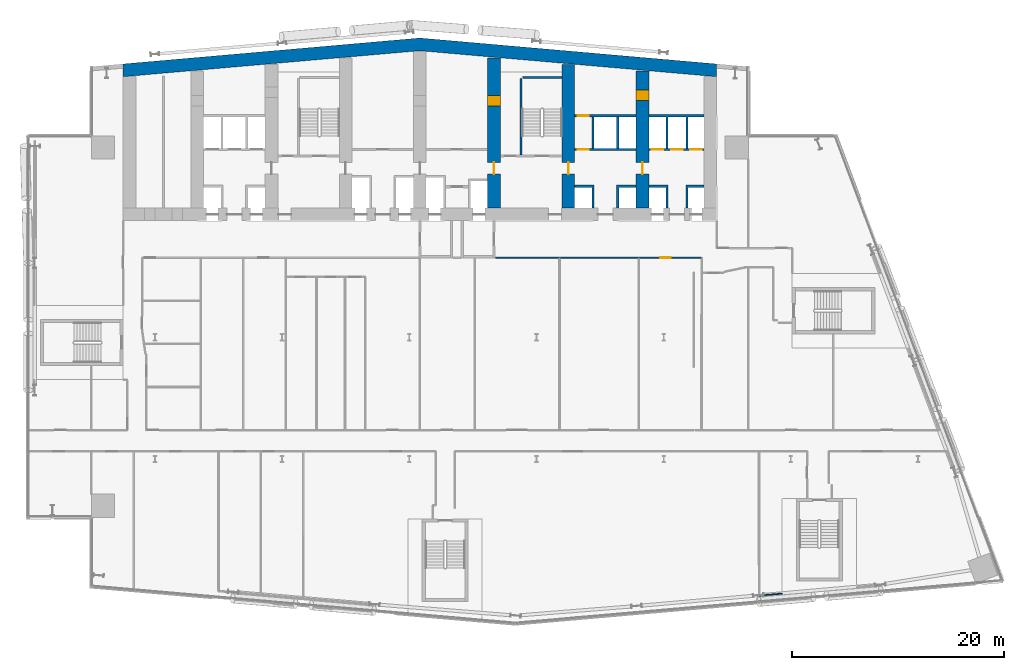
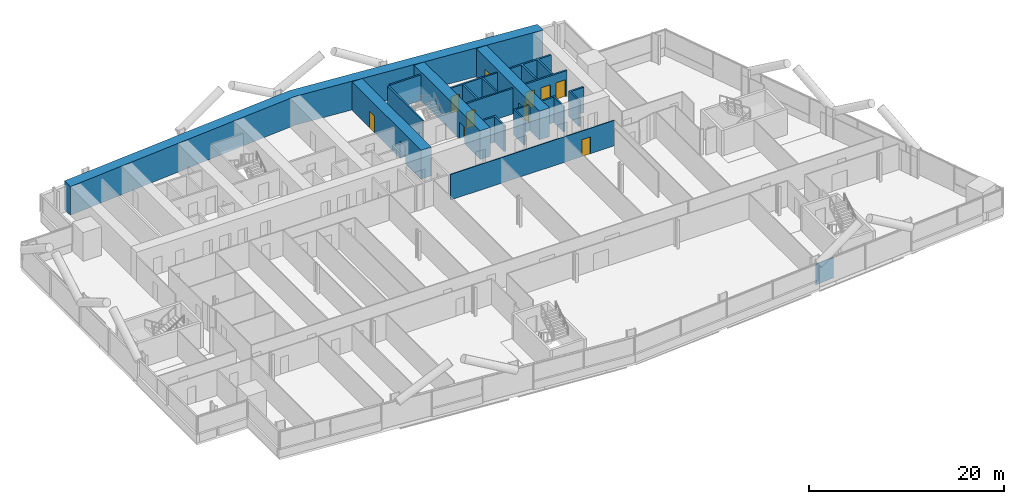
# One storey, part 18 of 27: 18 walls, 11 doors, 11 openings.
"""IFC4 building model written with IfcOpenShell, lengths in metres."""

from ifc_helpers import new_model, si_unit, direction, frame, frame_2d, origin, place, context, subcontext, project, spatial, polyline, rectangle, outline, extrude, material, layer, layer_set, type_object, element, fill, save


model = new_model("IFC4")

# Units and contexts
model_context = context("Model", 3, precision=1e-05, world=origin(), true_north=direction((0.0, 1.0)))
body_context = subcontext(model_context, "Body", "Model", "MODEL_VIEW")
ifc_project = project(units=[si_unit("LENGTHUNIT", "METRE"), si_unit("AREAUNIT", "SQUARE_METRE"), si_unit("VOLUMEUNIT", "CUBIC_METRE"), si_unit("PLANEANGLEUNIT", "RADIAN"), si_unit("MASSUNIT", "GRAM", prefix="KILO")], contexts=[model_context])

# Site, building, storey
site_placement = place(None, origin())
site = spatial("IfcSite", under=ifc_project, at=site_placement, CompositionType="ELEMENT")
building_placement = place(site_placement, origin())
building = spatial("IfcBuilding", under=site, at=building_placement, Name="Wharfspan Tower", CompositionType="ELEMENT")
storey_placement = place(building_placement, frame((0.0, 0.0, 45.100098)))
storey = spatial("IfcBuildingStorey", under=building, at=storey_placement, Name="L07", CompositionType="ELEMENT", Elevation=45.100098)

# Wall, opening, door
ifc_material_1 = material(Name="Gypsum board on steel studs", Category="steel")
ifc_layer_1 = layer(ifc_material_1, 0.100098)
ifc_layer_set_1 = layer_set([ifc_layer_1], Name="Gypsum board on steel studs")
wall_type_1 = type_object("IfcWallType", Name="Compartment wall 100 EI 60", PredefinedType="PARTITIONING", material=ifc_layer_set_1)
wall_1_placement = place(storey_placement, frame((44.149902, 30.5, 0.0), z_axis=(0.0, 0.0, 1.0), x_axis=(1.0, 0.0, 0.0)))
wall_1 = element("IfcWall", 1, at=wall_1_placement, inside=storey, type_object=wall_type_1, Name="Partition L07.w014 (3)", PredefinedType="PARTITIONING", context=body_context, shape_type="SweptSolid", body=[
    extrude(rectangle(XDim=19.420166, YDim=0.100098, at=frame_2d((9.709961, 0.0))), origin(), (0.0, 0.0, 1.0), 3.199951),
])
opening_1_placement = place(wall_1_placement, frame((15.540039, 0.0, 0.0)))
opening_1 = element("IfcOpeningElement", 2, at=opening_1_placement, cuts=wall_1, Name="Opening A1-29", PredefinedType="OPENING", context=body_context, shape_type="SweptSolid", body=[
    extrude(rectangle(XDim=1.0, YDim=2.100098, at=frame_2d((0.5, 1.050049))), frame((0.0, 0.060059, 0.0), z_axis=(0.0, -1.0, 0.0), x_axis=(1.0, 0.0, 0.0)), (0.0, 0.0, 1.0), 0.120117),
])
ifc_material_2 = material(Name="Fire-rated timber door leaf in steel frame", Category="steel")
door_type_1 = type_object("IfcDoorType", Name="Door 1000 FD30S Right", OperationType="SINGLE_SWING_RIGHT", PredefinedType="DOOR", material=ifc_material_2)
door_1_placement = place(opening_1_placement, origin())
door_1 = element("IfcDoor", 3, at=door_1_placement, inside=storey, type_object=door_type_1, Name="Door A1-29", OperationType="SINGLE_SWING_RIGHT", OverallHeight=2.100098, OverallWidth=1.0, PredefinedType="DOOR", context=body_context, shape_type="SweptSolid", body=[
    extrude(rectangle(XDim=1.0, YDim=2.100098, at=frame_2d((0.5, 1.050049))), frame((0.0, 0.024902, 0.0), z_axis=(0.0, -1.0, 0.0), x_axis=(1.0, 0.0, 0.0)), (0.0, 0.0, 1.0), 0.050049),
])
fill(opening_1, door_1)

# Wall
ifc_material_3 = material(Name="Concrete C70/85", Category="concrete")
ifc_layer_2 = layer(ifc_material_3, 1.199951)
ifc_layer_set_2 = layer_set([ifc_layer_2], Name="Concrete C70/85")
wall_type_2 = type_object("IfcWallType", Name="Core wall 1200 C70/85", PredefinedType="SHEAR", material=ifc_layer_set_2)
wall_2_placement = place(storey_placement, frame((0.0, 0.0, -0.000244)))
element("IfcWall", 4, at=wall_2_placement, inside=storey, type_object=wall_type_2, Name="Core rear wall L07", PredefinedType="SHEAR", context=body_context, shape_type="SweptSolid", body=[
    extrude(outline(polyline([(9.0, 47.582764), (37.0, 50.032471), (65.0, 47.582764), (65.0, 48.787354), (37.0, 51.237061), (9.0, 48.787354), (9.0, 47.582764)])), origin(), (0.0, 0.0, 1.0), 3.600098),
])

# Wall, openings, doors
wall_3_placement = place(storey_placement, frame((44.0, 35.199951, 0.0), z_axis=(0.0, 0.0, 1.0), x_axis=(0.0, 1.0, 0.0)))
wall_3 = element("IfcWall", 5, at=wall_3_placement, inside=storey, type_object=wall_type_2, Name="Core cross wall X5 L07", PredefinedType="SHEAR", context=body_context, shape_type="SweptSolid", body=[
    extrude(rectangle(XDim=14.167725, YDim=1.199951, at=frame_2d((7.083984, 0.0))), origin(), (0.0, 0.0, 1.0), 3.599854),
])
opening_2_placement = place(wall_3_placement, frame((3.199951, 0.0, 0.0)))
opening_2 = element("IfcOpeningElement", 6, at=opening_2_placement, cuts=wall_3, Name="Opening CC07.5", PredefinedType="OPENING", context=body_context, shape_type="SweptSolid", body=[
    extrude(rectangle(XDim=1.100098, YDim=2.100098, at=frame_2d((0.550049, 1.050049))), frame((0.0, 0.609863, 0.0), z_axis=(0.0, -1.0, 0.0), x_axis=(1.0, 0.0, 0.0)), (0.0, 0.0, 1.0), 1.219971),
])
opening_3_placement = place(wall_3_placement, frame((9.600098, 0.0, 0.0)))
opening_3 = element("IfcOpeningElement", 7, at=opening_3_placement, cuts=wall_3, Name="Opening CR07.5", PredefinedType="OPENING", context=body_context, shape_type="SweptSolid", body=[
    extrude(rectangle(XDim=1.0, YDim=2.100098, at=frame_2d((0.5, 1.050049))), frame((0.0, 0.609863, 0.0), z_axis=(0.0, -1.0, 0.0), x_axis=(1.0, 0.0, 0.0)), (0.0, 0.0, 1.0), 1.219971),
])
ifc_material_4 = material(Name="Steel door leaf", Category="steel")
door_type_2 = type_object("IfcDoorType", Name="Core corridor door 1100x2100", OperationType="SINGLE_SWING_LEFT", PredefinedType="DOOR", material=ifc_material_4)
door_2_placement = place(opening_2_placement, origin())
door_2 = element("IfcDoor", 8, at=door_2_placement, inside=storey, type_object=door_type_2, Name="xd:L07:5", OperationType="SINGLE_SWING_LEFT", OverallHeight=2.100098, OverallWidth=1.100098, PredefinedType="DOOR", context=body_context, shape_type="SweptSolid", body=[
    extrude(rectangle(XDim=1.100098, YDim=2.100098, at=frame_2d((0.550049, 1.050049))), frame((0.0, 0.024902, 0.0), z_axis=(0.0, -1.0, 0.0), x_axis=(1.0, 0.0, 0.0)), (0.0, 0.0, 1.0), 0.050049),
])
fill(opening_2, door_2)
door_type_3 = type_object("IfcDoorType", Name="Core room door 1000x2100", OperationType="SINGLE_SWING_LEFT", PredefinedType="DOOR", material=ifc_material_4)
door_3_placement = place(opening_3_placement, origin())
door_3 = element("IfcDoor", 9, at=door_3_placement, inside=storey, type_object=door_type_3, Name="xr:L07:5", OperationType="SINGLE_SWING_RIGHT", OverallHeight=2.100098, OverallWidth=1.0, PredefinedType="DOOR", context=body_context, shape_type="SweptSolid", body=[
    extrude(rectangle(XDim=1.0, YDim=2.100098, at=frame_2d((0.5, 1.050049))), frame((0.0, 0.599609, 0.0), z_axis=(0.0, -1.0, 0.0), x_axis=(1.0, 0.0, 0.0)), (0.0, 0.0, 1.0), 1.199463),
])
fill(opening_3, door_3)

# Wall, opening, door
wall_4_placement = place(storey_placement, frame((51.0, 35.199951, 0.0), z_axis=(0.0, 0.0, 1.0), x_axis=(0.0, 1.0, 0.0)))
wall_4 = element("IfcWall", 10, at=wall_4_placement, inside=storey, type_object=wall_type_2, Name="Core cross wall X6 L07", PredefinedType="SHEAR", context=body_context, shape_type="SweptSolid", body=[
    extrude(rectangle(XDim=13.555176, YDim=1.199951, at=frame_2d((6.777588, 0.0))), origin(), (0.0, 0.0, 1.0), 3.599854),
])
opening_4_placement = place(wall_4_placement, frame((3.199951, 0.0, 0.0)))
opening_4 = element("IfcOpeningElement", 11, at=opening_4_placement, cuts=wall_4, Name="Opening CC07.6", PredefinedType="OPENING", context=body_context, shape_type="SweptSolid", body=[
    extrude(rectangle(XDim=1.100098, YDim=2.100098, at=frame_2d((0.550049, 1.050049))), frame((0.0, 0.609863, 0.0), z_axis=(0.0, -1.0, 0.0), x_axis=(1.0, 0.0, 0.0)), (0.0, 0.0, 1.0), 1.219971),
])
door_4_placement = place(opening_4_placement, origin())
door_4 = element("IfcDoor", 12, at=door_4_placement, inside=storey, type_object=door_type_2, Name="xd:L07:6", OperationType="SINGLE_SWING_RIGHT", OverallHeight=2.100098, OverallWidth=1.100098, PredefinedType="DOOR", context=body_context, shape_type="SweptSolid", body=[
    extrude(rectangle(XDim=1.100098, YDim=2.100098, at=frame_2d((0.550049, 1.050049))), frame((0.0, 0.024902, 0.0), z_axis=(0.0, -1.0, 0.0), x_axis=(1.0, 0.0, 0.0)), (0.0, 0.0, 1.0), 0.050049),
])
fill(opening_4, door_4)

# Wall, openings, doors
wall_5_placement = place(storey_placement, frame((58.0, 35.199951, 0.0), z_axis=(0.0, 0.0, 1.0), x_axis=(0.0, 1.0, 0.0)))
wall_5 = element("IfcWall", 13, at=wall_5_placement, inside=storey, type_object=wall_type_2, Name="Core cross wall X7 L07", PredefinedType="SHEAR", context=body_context, shape_type="SweptSolid", body=[
    extrude(rectangle(XDim=12.942871, YDim=1.199951, at=frame_2d((6.471436, 0.0))), origin(), (0.0, 0.0, 1.0), 3.599854),
])
opening_5_placement = place(wall_5_placement, frame((10.133789, 0.0, 0.0)))
opening_5 = element("IfcOpeningElement", 14, at=opening_5_placement, cuts=wall_5, Name="Opening CD07.7X", PredefinedType="OPENING", context=body_context, shape_type="SweptSolid", body=[
    extrude(rectangle(XDim=1.0, YDim=2.100098, at=frame_2d((0.5, 1.050049))), frame((0.0, 0.609863, 0.0), z_axis=(0.0, -1.0, 0.0), x_axis=(1.0, 0.0, 0.0)), (0.0, 0.0, 1.0), 1.219971),
])
opening_6_placement = place(wall_5_placement, frame((3.199951, 0.0, 0.0)))
opening_6 = element("IfcOpeningElement", 15, at=opening_6_placement, cuts=wall_5, Name="Opening CC07.7", PredefinedType="OPENING", context=body_context, shape_type="SweptSolid", body=[
    extrude(rectangle(XDim=1.100098, YDim=2.100098, at=frame_2d((0.550049, 1.050049))), frame((0.0, 0.609863, 0.0), z_axis=(0.0, -1.0, 0.0), x_axis=(1.0, 0.0, 0.0)), (0.0, 0.0, 1.0), 1.219971),
])
door_5_placement = place(opening_6_placement, origin())
door_5 = element("IfcDoor", 16, at=door_5_placement, inside=storey, type_object=door_type_2, Name="xd:L07:7", OperationType="SINGLE_SWING_LEFT", OverallHeight=2.100098, OverallWidth=1.100098, PredefinedType="DOOR", context=body_context, shape_type="SweptSolid", body=[
    extrude(rectangle(XDim=1.100098, YDim=2.100098, at=frame_2d((0.550049, 1.050049))), frame((0.0, 0.024902, 0.0), z_axis=(0.0, -1.0, 0.0), x_axis=(1.0, 0.0, 0.0)), (0.0, 0.0, 1.0), 0.050049),
])
fill(opening_6, door_5)
door_6_placement = place(opening_5_placement, origin())
door_6 = element("IfcDoor", 17, at=door_6_placement, inside=storey, type_object=door_type_3, Name="d:L07:7:sx", OperationType="SINGLE_SWING_LEFT", OverallHeight=2.100098, OverallWidth=1.0, PredefinedType="DOOR", context=body_context, shape_type="SweptSolid", body=[
    extrude(rectangle(XDim=1.0, YDim=2.100098, at=frame_2d((0.5, 1.050049))), frame((0.0, 0.599609, 0.0), z_axis=(0.0, -1.0, 0.0), x_axis=(1.0, 0.0, 0.0)), (0.0, 0.0, 1.0), 1.199463),
])
fill(opening_5, door_6)

# Wall, opening, door
ifc_material_5 = material(Name="Concrete C30/37", Category="concrete")
ifc_layer_3 = layer(ifc_material_5, 0.199951)
ifc_layer_set_3 = layer_set([ifc_layer_3], Name="Concrete C30/37")
wall_type_3 = type_object("IfcWallType", Name="Lift shaft wall 200", PredefinedType="PARTITIONING", material=ifc_layer_set_3)
wall_6_placement = place(storey_placement, frame((51.600098, 40.699951, 0.0), z_axis=(0.0, 0.0, 1.0), x_axis=(1.0, 0.0, 0.0)))
wall_6 = element("IfcWall", 18, at=wall_6_placement, inside=storey, type_object=wall_type_3, Name="sw:L07:RF6", PredefinedType="PARTITIONING", context=body_context, shape_type="SweptSolid", body=[
    extrude(rectangle(XDim=5.799805, YDim=0.199951, at=frame_2d((2.899902, 0.0))), origin(), (0.0, 0.0, 1.0), 3.199951),
])
opening_7_placement = place(wall_6_placement, frame((0.31665, 0.0, 0.0)))
opening_7 = element("IfcOpeningElement", 19, at=opening_7_placement, cuts=wall_6, Name="Opening CD07.6R1", PredefinedType="OPENING", context=body_context, shape_type="SweptSolid", body=[
    extrude(rectangle(XDim=1.0, YDim=2.100098, at=frame_2d((0.5, 1.050049))), frame((0.0, 0.109863, 0.0), z_axis=(0.0, -1.0, 0.0), x_axis=(1.0, 0.0, 0.0)), (0.0, 0.0, 1.0), 0.219971),
])
door_7_placement = place(opening_7_placement, origin())
door_7 = element("IfcDoor", 20, at=door_7_placement, inside=storey, type_object=door_type_3, Name="d:L07:6:rd6.1", OperationType="SINGLE_SWING_RIGHT", OverallHeight=2.100098, OverallWidth=1.0, PredefinedType="DOOR", context=body_context, shape_type="SweptSolid", body=[
    extrude(rectangle(XDim=1.0, YDim=2.100098, at=frame_2d((0.5, 1.050049))), frame((0.0, 0.024902, 0.0), z_axis=(0.0, -1.0, 0.0), x_axis=(1.0, 0.0, 0.0)), (0.0, 0.0, 1.0), 0.050049),
])
fill(opening_7, door_7)

wall_7_placement = place(storey_placement, frame((51.600098, 43.899902, 0.0), z_axis=(0.0, 0.0, 1.0), x_axis=(1.0, 0.0, 0.0)))
wall_7 = element("IfcWall", 21, at=wall_7_placement, inside=storey, type_object=wall_type_3, Name="sw:L07:RR6", PredefinedType="PARTITIONING", context=body_context, shape_type="SweptSolid", body=[
    extrude(rectangle(XDim=5.799805, YDim=0.199951, at=frame_2d((2.899902, 0.0))), origin(), (0.0, 0.0, 1.0), 3.199951),
])
opening_8_placement = place(wall_7_placement, frame((0.31665, 0.0, 0.0)))
opening_8 = element("IfcOpeningElement", 22, at=opening_8_placement, cuts=wall_7, Name="Opening CD07.6S1", PredefinedType="OPENING", context=body_context, shape_type="SweptSolid", body=[
    extrude(rectangle(XDim=1.0, YDim=2.100098, at=frame_2d((0.5, 1.050049))), frame((0.0, 0.109863, 0.0), z_axis=(0.0, -1.0, 0.0), x_axis=(1.0, 0.0, 0.0)), (0.0, 0.0, 1.0), 0.219971),
])
door_8_placement = place(opening_8_placement, origin())
door_8 = element("IfcDoor", 23, at=door_8_placement, inside=storey, type_object=door_type_3, Name="d:L07:6:rs6.1", OperationType="SINGLE_SWING_LEFT", OverallHeight=2.100098, OverallWidth=1.0, PredefinedType="DOOR", context=body_context, shape_type="SweptSolid", body=[
    extrude(rectangle(XDim=1.0, YDim=2.100098, at=frame_2d((0.5, 1.050049))), frame((0.0, 0.024902, 0.0), z_axis=(0.0, -1.0, 0.0), x_axis=(1.0, 0.0, 0.0)), (0.0, 0.0, 1.0), 0.050049),
])
fill(opening_8, door_8)

# Walls
wall_8_placement = place(storey_placement, frame((0.0, 0.0, -0.000244)))
element("IfcWall", 24, at=wall_8_placement, inside=storey, type_object=wall_type_3, Name="sw:L07:FM6.0", PredefinedType="PARTITIONING", context=body_context, shape_type="SweptSolid", body=[
    extrude(outline(polyline([(53.233398, 37.149902), (51.600098, 37.149902), (51.600098, 37.350098), (53.233398, 37.350098), (53.43335, 37.350098), (53.43335, 35.199951), (53.233398, 35.199951), (53.233398, 37.149902)])), origin(), (0.0, 0.0, 1.0), 3.200195),
])
wall_9_placement = place(storey_placement, frame((0.0, 0.0, -0.000244)))
element("IfcWall", 25, at=wall_9_placement, inside=storey, type_object=wall_type_3, Name="sw:L07:FM6.1", PredefinedType="PARTITIONING", context=body_context, shape_type="SweptSolid", body=[
    extrude(outline(polyline([(55.56665, 37.350098), (55.766602, 37.350098), (57.399902, 37.350098), (57.399902, 37.149902), (55.766602, 37.149902), (55.766602, 35.199951), (55.56665, 35.199951), (55.56665, 37.350098)])), origin(), (0.0, 0.0, 1.0), 3.200195),
])
wall_10_placement = place(storey_placement, frame((0.0, 0.0, -0.000244)))
element("IfcWall", 26, at=wall_10_placement, inside=storey, type_object=wall_type_3, Name="sw:L07:RM6.0", PredefinedType="PARTITIONING", context=body_context, shape_type="SweptSolid", body=[
    extrude(outline(polyline([(53.233398, 40.800049), (53.233398, 43.800049), (53.43335, 43.800049), (53.43335, 40.800049), (53.233398, 40.800049)])), origin(), (0.0, 0.0, 1.0), 3.200195),
])
wall_11_placement = place(storey_placement, frame((0.0, 0.0, -0.000244)))
element("IfcWall", 27, at=wall_11_placement, inside=storey, type_object=wall_type_3, Name="sw:L07:RM6.1", PredefinedType="PARTITIONING", context=body_context, shape_type="SweptSolid", body=[
    extrude(outline(polyline([(55.56665, 40.800049), (55.56665, 43.800049), (55.766602, 43.800049), (55.766602, 40.800049), (55.56665, 40.800049)])), origin(), (0.0, 0.0, 1.0), 3.200195),
])

# Wall, openings, doors
wall_12_placement = place(storey_placement, frame((58.600098, 40.699951, 0.0), z_axis=(0.0, 0.0, 1.0), x_axis=(1.0, 0.0, 0.0)))
wall_12 = element("IfcWall", 28, at=wall_12_placement, inside=storey, type_object=wall_type_3, Name="sw:L07:RF7", PredefinedType="PARTITIONING", context=body_context, shape_type="SweptSolid", body=[
    extrude(rectangle(XDim=5.199951, YDim=0.199951, at=frame_2d((2.600098, 0.0))), origin(), (0.0, 0.0, 1.0), 3.199951),
])
opening_9_placement = place(wall_12_placement, frame((0.266602, 0.0, 0.0)))
opening_9 = element("IfcOpeningElement", 29, at=opening_9_placement, cuts=wall_12, Name="Opening LD.LA8.L07", PredefinedType="OPENING", context=body_context, shape_type="SweptSolid", body=[
    extrude(rectangle(XDim=1.100098, YDim=2.100098, at=frame_2d((0.550049, 1.050049))), frame((0.0, 0.109863, 0.0), z_axis=(0.0, -1.0, 0.0), x_axis=(1.0, 0.0, 0.0)), (0.0, 0.0, 1.0), 0.219971),
])
opening_10_placement = place(wall_12_placement, frame((2.116699, 0.0, 0.0)))
opening_10 = element("IfcOpeningElement", 30, at=opening_10_placement, cuts=wall_12, Name="Opening LD.LA9.L07", PredefinedType="OPENING", context=body_context, shape_type="SweptSolid", body=[
    extrude(rectangle(XDim=1.100098, YDim=2.100098, at=frame_2d((0.550049, 1.050049))), frame((0.0, 0.109863, 0.0), z_axis=(0.0, -1.0, 0.0), x_axis=(1.0, 0.0, 0.0)), (0.0, 0.0, 1.0), 0.219971),
])
opening_11_placement = place(wall_12_placement, frame((3.899902, 0.0, 0.0)))
opening_11 = element("IfcOpeningElement", 31, at=opening_11_placement, cuts=wall_12, Name="Opening LD.LA10.L07", PredefinedType="OPENING", context=body_context, shape_type="SweptSolid", body=[
    extrude(rectangle(XDim=1.100098, YDim=2.100098, at=frame_2d((0.550049, 1.050049))), frame((0.0, 0.109863, 0.0), z_axis=(0.0, -1.0, 0.0), x_axis=(1.0, 0.0, 0.0)), (0.0, 0.0, 1.0), 0.219971),
])
ifc_material_6 = material(Name="Stainless steel", Category="steel")
door_type_4 = type_object("IfcDoorType", Name="Lift landing door 1100x2100", OperationType="DOUBLE_DOOR_SLIDING", PredefinedType="DOOR", material=ifc_material_6)
door_9_placement = place(opening_9_placement, origin())
door_9 = element("IfcDoor", 32, at=door_9_placement, inside=storey, type_object=door_type_4, Name="Landing door LA8 L07", OperationType="DOUBLE_DOOR_SLIDING", OverallHeight=2.100098, OverallWidth=1.100098, PredefinedType="DOOR", context=body_context, shape_type="SweptSolid", body=[
    extrude(rectangle(XDim=1.100098, YDim=2.100098, at=frame_2d((0.550049, 1.050049))), frame((0.0, 0.024902, 0.0), z_axis=(0.0, -1.0, 0.0), x_axis=(1.0, 0.0, 0.0)), (0.0, 0.0, 1.0), 0.050049),
])
fill(opening_9, door_9)
door_10_placement = place(opening_10_placement, origin())
door_10 = element("IfcDoor", 33, at=door_10_placement, inside=storey, type_object=door_type_4, Name="Landing door LA9 L07", OperationType="DOUBLE_DOOR_SLIDING", OverallHeight=2.100098, OverallWidth=1.100098, PredefinedType="DOOR", context=body_context, shape_type="SweptSolid", body=[
    extrude(rectangle(XDim=1.100098, YDim=2.100098, at=frame_2d((0.550049, 1.050049))), frame((0.0, 0.024902, 0.0), z_axis=(0.0, -1.0, 0.0), x_axis=(1.0, 0.0, 0.0)), (0.0, 0.0, 1.0), 0.050049),
])
fill(opening_10, door_10)
door_11_placement = place(opening_11_placement, origin())
door_11 = element("IfcDoor", 34, at=door_11_placement, inside=storey, type_object=door_type_4, Name="Landing door LA10 L07", OperationType="DOUBLE_DOOR_SLIDING", OverallHeight=2.100098, OverallWidth=1.100098, PredefinedType="DOOR", context=body_context, shape_type="SweptSolid", body=[
    extrude(rectangle(XDim=1.100098, YDim=2.100098, at=frame_2d((0.550049, 1.050049))), frame((0.0, 0.024902, 0.0), z_axis=(0.0, -1.0, 0.0), x_axis=(1.0, 0.0, 0.0)), (0.0, 0.0, 1.0), 0.050049),
])
fill(opening_11, door_11)

# Walls
wall_13_placement = place(storey_placement, frame((0.0, 0.0, -0.000244)))
element("IfcWall", 35, at=wall_13_placement, inside=storey, type_object=wall_type_3, Name="sw:L07:FM7.0", PredefinedType="PARTITIONING", context=body_context, shape_type="SweptSolid", body=[
    extrude(outline(polyline([(60.233398, 37.149902), (58.600098, 37.149902), (58.600098, 37.350098), (60.233398, 37.350098), (60.43335, 37.350098), (60.43335, 35.199951), (60.233398, 35.199951), (60.233398, 37.149902)])), origin(), (0.0, 0.0, 1.0), 3.200195),
])
wall_14_placement = place(storey_placement, frame((0.0, 0.0, -0.000244)))
element("IfcWall", 36, at=wall_14_placement, inside=storey, type_object=wall_type_3, Name="sw:L07:FM7.1", PredefinedType="PARTITIONING", context=body_context, shape_type="SweptSolid", body=[
    extrude(outline(polyline([(62.100098, 37.350098), (62.300049, 37.350098), (63.800049, 37.350098), (63.800049, 37.149902), (62.300049, 37.149902), (62.300049, 35.199951), (62.100098, 35.199951), (62.100098, 37.350098)])), origin(), (0.0, 0.0, 1.0), 3.200195),
])
wall_15_placement = place(storey_placement, frame((0.0, 0.0, -0.000244)))
element("IfcWall", 37, at=wall_15_placement, inside=storey, type_object=wall_type_3, Name="sw:L07:RM7.0", PredefinedType="PARTITIONING", context=body_context, shape_type="SweptSolid", body=[
    extrude(outline(polyline([(60.43335, 40.800049), (60.233398, 40.800049), (60.233398, 43.800049), (58.600098, 43.800049), (58.600098, 44.0), (63.800049, 44.0), (63.800049, 43.800049), (62.300049, 43.800049), (62.300049, 40.800049), (62.100098, 40.800049), (62.100098, 43.800049), (60.43335, 43.800049), (60.43335, 40.800049)])), origin(), (0.0, 0.0, 1.0), 3.200195),
])
ifc_layer_4 = layer(ifc_material_1, 0.100098)
ifc_layer_set_4 = layer_set([ifc_layer_4], Name="Gypsum board on steel studs")
wall_type_4 = type_object("IfcWallType", Name="Partition 100", PredefinedType="PARTITIONING", material=ifc_layer_set_4)
wall_16_placement = place(storey_placement, frame((69.0, -1.379883, 0.0), z_axis=(0.0, 0.0, 1.0), x_axis=(0.996261, 0.086427, 0.0)))
element("IfcWall", 38, at=wall_16_placement, inside=storey, type_object=wall_type_4, Name="Partition L07.w060", PredefinedType="PARTITIONING", context=body_context, shape_type="SweptSolid", body=[
    extrude(rectangle(XDim=2.180664, YDim=0.100098, at=frame_2d((1.090332, 0.0))), origin(), (0.0, 0.0, 1.0), 2.579834),
])
ifc_material_7 = material(Name="Concrete C40/50", Category="concrete")
ifc_layer_5 = layer(ifc_material_7, 0.199951)
ifc_layer_set_5 = layer_set([ifc_layer_5], Name="Concrete C40/50")
wall_type_5 = type_object("IfcWallType", Name="Stair shaft wall 200", PredefinedType="SHEAR", material=ifc_layer_set_5)
wall_17_placement = place(storey_placement, frame((46.550049, 40.199951, 0.0), z_axis=(0.0, 0.0, 1.0), x_axis=(0.0, 1.0, 0.0)))
element("IfcWall", 39, at=wall_17_placement, inside=storey, type_object=wall_type_5, Name="ST2 stair enclosure wall L07", PredefinedType="SHEAR", context=body_context, shape_type="SweptSolid", body=[
    extrude(rectangle(XDim=7.199951, YDim=0.199951, at=frame_2d((3.600098, 0.0))), origin(), (0.0, 0.0, 1.0), 3.199951),
])
wall_18_placement = place(storey_placement, frame((46.75, 47.5, 0.0), z_axis=(0.0, 0.0, 1.0), x_axis=(1.0, 0.0, 0.0)))
element("IfcWall", 40, at=wall_18_placement, inside=storey, type_object=wall_type_5, Name="ST2 stair enclosure wall L07", PredefinedType="SHEAR", context=body_context, shape_type="SweptSolid", body=[
    extrude(rectangle(XDim=3.649902, YDim=0.199951, at=frame_2d((1.824951, 0.0))), origin(), (0.0, 0.0, 1.0), 3.199951),
])

save(model, "model.ifc")
